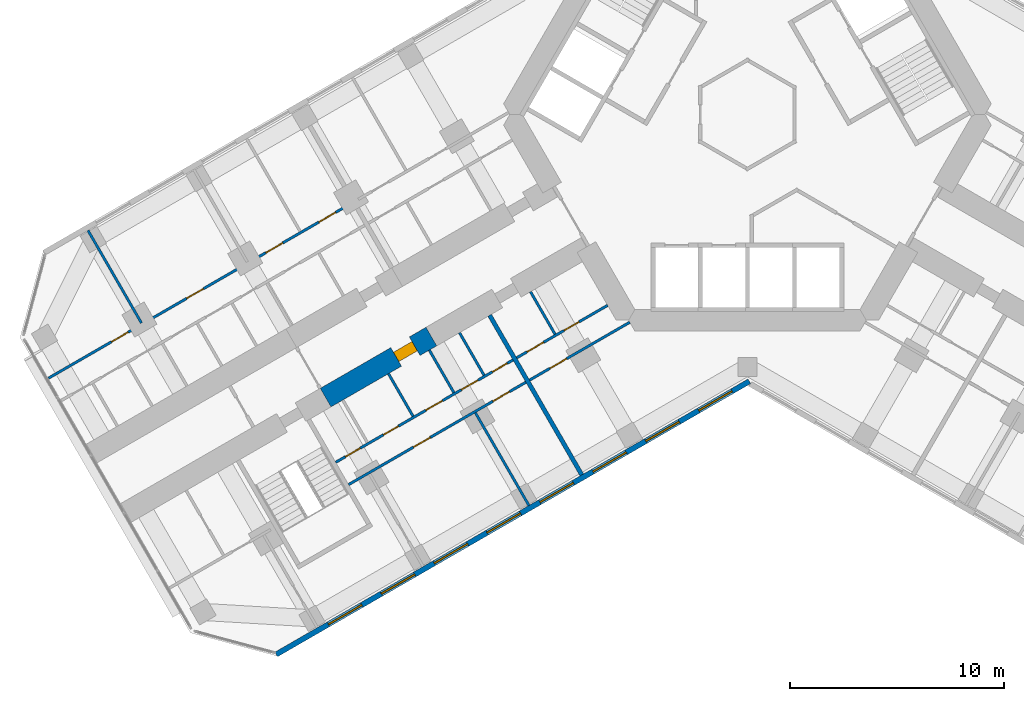
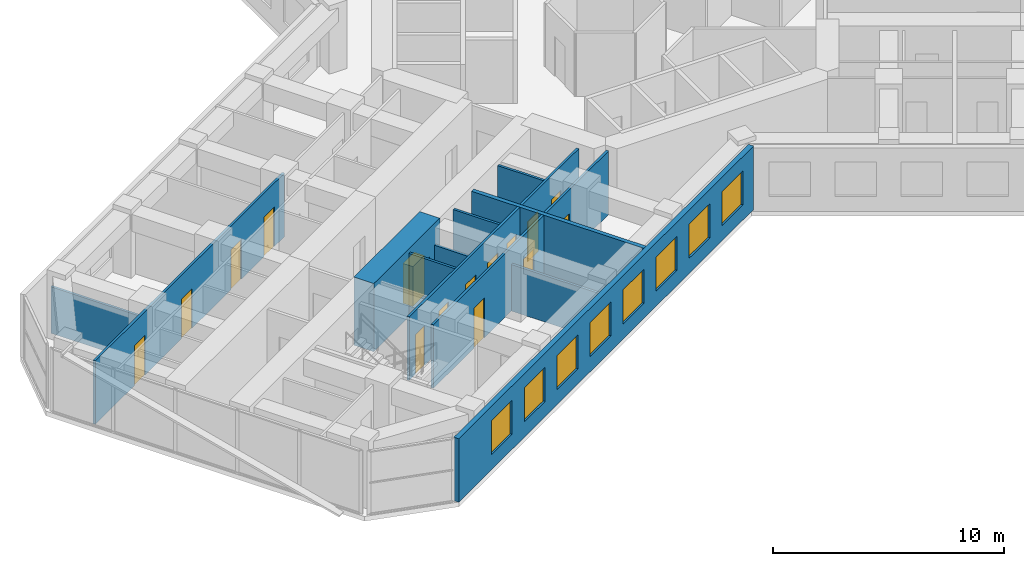
# One storey, part 11 of 21: 15 doors, 14 walls, 8 windows, 23 openings.
"""IFC4 building model written with IfcOpenShell, lengths in metres."""

import ifcopenshell
import ifcopenshell.guid

model = None  # the IFC model being written
_history = None  # IfcOwnerHistory: only IFC2X3 demands one
_inside = {}  # id of a spatial element -> (the spatial element, [elements in it])
_under = {}  # id of a project, library or spatial element -> (it, [spatial elements below it])
_declared = {}  # id of a project -> (the project, [libraries it declares])
_typed = {}  # id of a type object -> (the type object, [elements of that type])
_made_of = {}  # id of a material, layer set ... -> (it, [elements and type objects made of it])


def new_model(schema):
    """Start an empty IFC model of exactly this schema.

    Asked for "IFC4X3", IfcOpenShell would pick the latest addendum, in which some entities
    have other attributes; the version numbers below select the first issue.
    IFC2X3 requires an IfcOwnerHistory on every rooted entity: one is made here for all.
    """
    global model, _history
    if schema == "IFC4X3":
        model = ifcopenshell.file(schema_version=(4, 3, 0, 0))
    else:
        model = ifcopenshell.file(schema=schema)
    _inside.clear()
    _under.clear()
    _declared.clear()
    _typed.clear()
    _made_of.clear()
    _history = None
    if model.schema == "IFC2X3":
        org = make("IfcOrganization", Name="unknown")
        user = make(
            "IfcPersonAndOrganization",
            ThePerson=make("IfcPerson", FamilyName="unknown"),
            TheOrganization=org,
        )
        app = make(
            "IfcApplication",
            ApplicationDeveloper=org,
            Version="unknown",
            ApplicationFullName="unknown",
            ApplicationIdentifier="unknown",
        )
        _history = make(
            "IfcOwnerHistory",
            OwningUser=user,
            OwningApplication=app,
            ChangeAction="ADDED",
            CreationDate=0,
        )
    return model


def make(cls, **values):
    """One entity of the class cls with the attributes given. An attribute that is None is left unset."""
    return model.create_entity(
        cls, **{name: value for name, value in values.items() if value is not None}
    )


def rooted(cls, **values):
    """An entity with a GlobalId (a new one), such as an element, a storey or a relation."""
    return make(cls, GlobalId=ifcopenshell.guid.new(), OwnerHistory=_history, **values)


def si_unit(unit_type, name, prefix=None):
    """IfcSIUnit, for example si_unit("LENGTHUNIT", "METRE", prefix="MILLI")."""
    return make("IfcSIUnit", UnitType=unit_type, Prefix=prefix, Name=name)


def assignment(units):
    """IfcUnitAssignment: the units of a project."""
    return None if units is None else make("IfcUnitAssignment", Units=units)


def point(xyz):
    """IfcCartesianPoint."""
    return None if xyz is None else make("IfcCartesianPoint", Coordinates=xyz)


def direction(xyz):
    """IfcDirection."""
    return None if xyz is None else make("IfcDirection", DirectionRatios=xyz)


def frame(location, z_axis=None, x_axis=None):
    """IfcAxis2Placement3D, a coordinate frame: its origin and axes. An axis left out is left unset."""
    return make(
        "IfcAxis2Placement3D",
        Location=point(location),
        Axis=direction(z_axis),
        RefDirection=direction(x_axis),
    )


def frame_2d(location, x_axis=None):
    """IfcAxis2Placement2D, a coordinate frame in the plane: its origin and x axis."""
    return make(
        "IfcAxis2Placement2D", Location=point(location), RefDirection=direction(x_axis)
    )


def origin():
    """The frame at (0, 0, 0) with its axes left unset."""
    return frame((0.0, 0.0, 0.0))


def place(relative_to, where):
    """IfcLocalPlacement: puts the frame where relative to a parent placement (None: the world)."""
    return make(
        "IfcLocalPlacement", PlacementRelTo=relative_to, RelativePlacement=where
    )


def context(
    kind, dimensions, precision=None, world=None, true_north=None, identifier=None
):
    """IfcGeometricRepresentationContext, for example the 3D "Model" context."""
    return make(
        "IfcGeometricRepresentationContext",
        ContextIdentifier=identifier,
        ContextType=kind,
        CoordinateSpaceDimension=dimensions,
        Precision=precision,
        WorldCoordinateSystem=world,
        TrueNorth=true_north,
    )


def subcontext(parent, identifier, kind, view, scale=None):
    """IfcGeometricRepresentationSubContext, for example "Body" below "Model"."""
    return make(
        "IfcGeometricRepresentationSubContext",
        ContextIdentifier=identifier,
        ContextType=kind,
        ParentContext=parent,
        TargetScale=scale,
        TargetView=view,
    )


def project(units=None, contexts=None):
    """IfcProject with its units and contexts."""
    return rooted(
        "IfcProject",
        Name="project",
        RepresentationContexts=contexts,
        UnitsInContext=assignment(units),
    )


def spatial(cls, under=None, at=None, **own):
    """A site, building, storey or space (cls), placed at a placement, below another one or the project."""
    s = rooted(cls, ObjectPlacement=at, **own)
    if under is not None:
        _under.setdefault(under.id(), (under, []))[1].append(s)
    return s


def profile(cls, at=None, kind="AREA", **sizes):
    """A parametric profile (cls). Its sizes go by their IFC names, for example OverallWidth=200.0."""
    return make(cls, ProfileType=kind, Position=at, **sizes)


def rectangle(**sizes):
    """IfcRectangleProfileDef."""
    return profile("IfcRectangleProfileDef", **sizes)


def extrude(swept, where, along, depth):
    """IfcExtrudedAreaSolid: the profile swept, set in the frame where, extruded along a direction by depth."""
    return make(
        "IfcExtrudedAreaSolid",
        SweptArea=swept,
        Position=where,
        ExtrudedDirection=direction(along),
        Depth=depth,
    )


def shape(context_of_items, identifier, shape_type, items):
    """IfcShapeRepresentation: the items that make up one representation, for example the "Body"."""
    return make(
        "IfcShapeRepresentation",
        ContextOfItems=context_of_items,
        RepresentationIdentifier=identifier,
        RepresentationType=shape_type,
        Items=items,
    )


def material(Name=None, Category=None):
    """IfcMaterial."""
    return make("IfcMaterial", Name=Name, Category=Category)


def layer(
    of_material, thickness, ventilated=None, Name=None, Category=None, Priority=None
):
    """IfcMaterialLayer: one layer of a wall or slab, of a material (None: an air gap)."""
    return make(
        "IfcMaterialLayer",
        Material=of_material,
        LayerThickness=thickness,
        IsVentilated=ventilated,
        Name=Name,
        Category=Category,
        Priority=Priority,
    )


def layer_set(layers, Name=None):
    """IfcMaterialLayerSet."""
    return make("IfcMaterialLayerSet", MaterialLayers=layers, LayerSetName=Name)


def made_of(thing, what):
    """Note that an element or type object is made of a material, layer set ...; save() writes the relation."""
    if what is not None:
        _made_of.setdefault(what.id(), (what, []))[1].append(thing)
    return thing


def type_object(cls, material=None, **own):
    """A type object (cls), such as IfcWallType, which elements share."""
    return made_of(rooted(cls, **own), material)


def element(
    cls,
    number,
    at=None,
    inside=None,
    cuts=None,
    type_object=None,
    material=None,
    context=None,
    identifier="Body",
    shape_type=None,
    held_by="IfcProductDefinitionShape",
    body=None,
    shapes=None,
    **own,
):
    """One element of the class cls, such as IfcWall. Its Tag is "e" and its number.

    at: its placement. inside: the storey or other place that contains it. cuts: it is an
    opening in that element (IfcRelVoidsElement). A single representation is given by context,
    identifier, shape_type and body (its items); several are given by shapes. held_by: the class
    of the entity that holds the representations. save() writes the other relations.
    """
    e = rooted(cls, Tag="e%d" % number, ObjectPlacement=at, **own)
    if body is not None:
        shapes = [shape(context, identifier, shape_type, body)]
    if shapes is not None:
        e.Representation = make(held_by, Representations=shapes)
    if inside is not None:
        _inside.setdefault(inside.id(), (inside, []))[1].append(e)
    if cuts is not None:
        rooted(
            "IfcRelVoidsElement", RelatingBuildingElement=cuts, RelatedOpeningElement=e
        )
    if type_object is not None:
        _typed.setdefault(type_object.id(), (type_object, []))[1].append(e)
    return made_of(e, material)


def fill(opening, filler):
    """IfcRelFillsElement: the door or window that sits in an opening."""
    return rooted(
        "IfcRelFillsElement",
        RelatingOpeningElement=opening,
        RelatedBuildingElement=filler,
    )


def aggregate(whole, parts):
    """IfcRelAggregates: a whole, such as a stair, and the parts it consists of."""
    return rooted("IfcRelAggregates", RelatingObject=whole, RelatedObjects=parts)


def save(model, path):
    """Write the relations noted so far, then the file.

    IfcRelAggregates (storeys below a building ...), IfcRelContainedInSpatialStructure (elements
    in a storey), IfcRelDefinesByType, IfcRelAssociatesMaterial and IfcRelDeclares: one each for
    every whole, place, type object, material and project.
    """
    for whole, parts in _under.values():
        aggregate(whole, parts)
    for where, things in _inside.values():
        rooted(
            "IfcRelContainedInSpatialStructure",
            RelatedElements=things,
            RelatingStructure=where,
        )
    for kind, things in _typed.values():
        rooted("IfcRelDefinesByType", RelatedObjects=things, RelatingType=kind)
    for what, things in _made_of.values():
        rooted("IfcRelAssociatesMaterial", RelatedObjects=things, RelatingMaterial=what)
    for by, libraries in _declared.values():
        rooted("IfcRelDeclares", RelatingContext=by, RelatedDefinitions=libraries)
    model.write(path)


model = new_model("IFC4")

# Units and contexts
model_context = context("Model", 3, precision=1e-05, world=origin(), true_north=direction((0.0, 1.0)))
body_context = subcontext(model_context, "Body", "Model", "MODEL_VIEW")
ifc_project = project(units=[si_unit("LENGTHUNIT", "METRE"), si_unit("AREAUNIT", "SQUARE_METRE"), si_unit("VOLUMEUNIT", "CUBIC_METRE"), si_unit("PLANEANGLEUNIT", "RADIAN"), si_unit("MASSUNIT", "GRAM", prefix="KILO")], contexts=[model_context])

# Site, building, storey
site_placement = place(None, origin())
site = spatial("IfcSite", under=ifc_project, at=site_placement, CompositionType="ELEMENT")
building_placement = place(site_placement, origin())
building = spatial("IfcBuilding", under=site, at=building_placement, Name="Kosmar Iwan School Tower", CompositionType="ELEMENT")
storey_placement = place(building_placement, frame((0.0, 0.0, 88.0)))
storey = spatial("IfcBuildingStorey", under=building, at=storey_placement, Name="L21", CompositionType="ELEMENT", Elevation=88.0)

# Wall, opening, door
ifc_material_1 = material(Name="Concrete C50/60", Category="concrete")
ifc_layer_1 = layer(ifc_material_1, 1.0)
ifc_layer_set_1 = layer_set([ifc_layer_1], Name="Corridor buttress wall 1000")
wall_type_1 = type_object("IfcWallType", Name="Corridor buttress wall 1000", PredefinedType="SHEAR", material=ifc_layer_set_1)
wall_1_placement = place(storey_placement, frame((-14.7451171875, -10.360595703125, 0.0), z_axis=(0.0, 0.0, 1.0), x_axis=(-0.866015111908, -0.50001782563, 0.0)))
wall_1 = element("IfcWall", 1, at=wall_1_placement, inside=storey, type_object=wall_type_1, Name="Corridor wall BL bay 2", PredefinedType="SHEAR", context=body_context, shape_type="SweptSolid", body=[
    extrude(rectangle(XDim=5.699951171875, YDim=1.0, at=frame_2d((2.85009765625, 0.0))), origin(), (0.0, 0.0, 1.0), 3.60009765625),
])
opening_1_placement = place(wall_1_placement, frame((0.89990234375, 0.0, 0.0)))
opening_1 = element("IfcOpeningElement", 2, at=opening_1_placement, cuts=wall_1, Name="Opening D1", PredefinedType="OPENING", context=body_context, shape_type="SweptSolid", body=[
    extrude(rectangle(XDim=1.0, YDim=2.10009765625, at=frame_2d((0.5, 1.050048828125))), frame((0.0, 0.511962890625, 0.0), z_axis=(0.0, -1.0, 0.0), x_axis=(1.0, 0.0, 0.0)), (0.0, 0.0, 1.0), 1.02392578125),
])
ifc_material_2 = material(Name="Timber fire door in steel frame", Category="steel")
door_type_1 = type_object("IfcDoorType", Name="Flat entrance door 1000x2100", OperationType="SINGLE_SWING_LEFT", PredefinedType="DOOR", material=ifc_material_2)
door_1_placement = place(opening_1_placement, origin())
door_1 = element("IfcDoor", 3, at=door_1_placement, inside=storey, type_object=door_type_1, Name="Flat L21-BL2 entrance door", OperationType="SINGLE_SWING_LEFT", OverallHeight=2.10009765625, OverallWidth=1.0, PredefinedType="DOOR", context=body_context, shape_type="SweptSolid", body=[
    extrude(rectangle(XDim=1.0, YDim=2.10009765625, at=frame_2d((0.5, 1.050048828125))), frame((0.0, 0.25, 0.0), z_axis=(0.0, -1.0, 0.0), x_axis=(1.0, 0.0, 0.0)), (0.0, 0.0, 1.0), 0.5),
])
fill(opening_1, door_1)

# Wall, openings, doors
ifc_material_3 = material(Name="Gypsum board on steel studs", Category="steel")
ifc_layer_2 = layer(ifc_material_3, 0.1201171875)
ifc_layer_set_2 = layer_set([ifc_layer_2], Name="Dwelling partition 120")
wall_type_2 = type_object("IfcWallType", Name="Dwelling partition 120", PredefinedType="PARTITIONING", material=ifc_layer_set_2)
wall_2_placement = place(storey_placement, frame((-6.521728515625, -8.90380859375, 0.0), z_axis=(0.0, 0.0, 1.0), x_axis=(-0.866036242063, -0.49998122708, 0.0)))
wall_2 = element("IfcWall", 4, at=wall_2_placement, inside=storey, type_object=wall_type_2, Name="Partition L21-BL1-W1", PredefinedType="PARTITIONING", context=body_context, shape_type="SweptSolid", body=[
    extrude(rectangle(XDim=4.900146484375, YDim=0.1201171875, at=frame_2d((2.4501953125, 0.0))), origin(), (0.0, 0.0, 1.0), 3.35009765625),
])
opening_2_placement = place(wall_2_placement, frame((1.550048828125, 0.0, 0.0)))
opening_2 = element("IfcOpeningElement", 5, at=opening_2_placement, cuts=wall_2, Name="Opening D3", PredefinedType="OPENING", context=body_context, shape_type="SweptSolid", body=[
    extrude(rectangle(XDim=0.800048828125, YDim=2.10009765625, at=frame_2d((0.39990234375, 1.050048828125))), frame((0.0, 0.072021484375, 0.0), z_axis=(0.0, -1.0, 0.0), x_axis=(1.0, 0.0, 0.0)), (0.0, 0.0, 1.0), 0.14404296875),
])
opening_3_placement = place(wall_2_placement, frame((3.449951171875, 0.0, 0.0)))
opening_3 = element("IfcOpeningElement", 6, at=opening_3_placement, cuts=wall_2, Name="Opening D2", PredefinedType="OPENING", context=body_context, shape_type="SweptSolid", body=[
    extrude(rectangle(XDim=0.89990234375, YDim=2.10009765625, at=frame_2d((0.449951171875, 1.050048828125))), frame((0.0, 0.072021484375, 0.0), z_axis=(0.0, -1.0, 0.0), x_axis=(1.0, 0.0, 0.0)), (0.0, 0.0, 1.0), 0.14404296875),
])
ifc_material_4 = material(Name="Timber door in timber frame", Category="wood")
door_type_2 = type_object("IfcDoorType", Name="Internal door 900x2100", OperationType="SINGLE_SWING_LEFT", PredefinedType="DOOR", material=ifc_material_4)
door_2_placement = place(opening_3_placement, origin())
door_2 = element("IfcDoor", 7, at=door_2_placement, inside=storey, type_object=door_type_2, Name="Entrance hall door L21-BL1-S2", OperationType="SINGLE_SWING_RIGHT", OverallHeight=2.10009765625, OverallWidth=0.89990234375, PredefinedType="DOOR", context=body_context, shape_type="SweptSolid", body=[
    extrude(rectangle(XDim=0.89990234375, YDim=2.10009765625, at=frame_2d((0.449951171875, 1.050048828125))), frame((0.0, 0.02490234375, 0.0), z_axis=(0.0, -1.0, 0.0), x_axis=(1.0, 0.0, 0.0)), (0.0, 0.0, 1.0), 0.050048828125),
])
fill(opening_3, door_2)
ifc_material_5 = material(Name="Timber door in timber frame", Category="wood")
door_type_3 = type_object("IfcDoorType", Name="Sanitary room door 800x2100", OperationType="SINGLE_SWING_LEFT", PredefinedType="DOOR", material=ifc_material_5)
door_3_placement = place(opening_2_placement, origin())
door_3 = element("IfcDoor", 8, at=door_3_placement, inside=storey, type_object=door_type_3, Name="Bathroom door L21-BL1-S1", OperationType="SINGLE_SWING_LEFT", OverallHeight=2.10009765625, OverallWidth=0.800048828125, PredefinedType="DOOR", context=body_context, shape_type="SweptSolid", body=[
    extrude(rectangle(XDim=0.800048828125, YDim=2.10009765625, at=frame_2d((0.39990234375, 1.050048828125))), frame((0.0, 0.02490234375, 0.0), z_axis=(0.0, -1.0, 0.0), x_axis=(1.0, 0.0, 0.0)), (0.0, 0.0, 1.0), 0.050048828125),
])
fill(opening_2, door_3)

# Wall, opening, door
wall_3_placement = place(storey_placement, frame((-5.48876953125, -9.693115234375, 0.0), z_axis=(0.0, 0.0, 1.0), x_axis=(-0.866028230842, -0.499995103361, 0.0)))
wall_3 = element("IfcWall", 9, at=wall_3_placement, inside=storey, type_object=wall_type_2, Name="Partition L21-BL1-W2", PredefinedType="PARTITIONING", context=body_context, shape_type="SweptSolid", body=[
    extrude(rectangle(XDim=5.39990234375, YDim=0.1201171875, at=frame_2d((2.699951171875, 0.0))), origin(), (0.0, 0.0, 1.0), 3.35009765625),
])
opening_4_placement = place(wall_3_placement, frame((3.39990234375, 0.0, 0.0)))
opening_4 = element("IfcOpeningElement", 10, at=opening_4_placement, cuts=wall_3, Name="Opening D2", PredefinedType="OPENING", context=body_context, shape_type="SweptSolid", body=[
    extrude(rectangle(XDim=0.89990234375, YDim=2.10009765625, at=frame_2d((0.449951171875, 1.050048828125))), frame((0.0, 0.072021484375, 0.0), z_axis=(0.0, -1.0, 0.0), x_axis=(1.0, 0.0, 0.0)), (0.0, 0.0, 1.0), 0.14404296875),
])
door_4_placement = place(opening_4_placement, origin())
door_4 = element("IfcDoor", 11, at=door_4_placement, inside=storey, type_object=door_type_2, Name="Studio living room and kitchen door L21-BL1-F1", OperationType="SINGLE_SWING_RIGHT", OverallHeight=2.10009765625, OverallWidth=0.89990234375, PredefinedType="DOOR", context=body_context, shape_type="SweptSolid", body=[
    extrude(rectangle(XDim=0.89990234375, YDim=2.10009765625, at=frame_2d((0.449951171875, 1.050048828125))), frame((0.0, 0.02490234375, 0.0), z_axis=(0.0, -1.0, 0.0), x_axis=(1.0, 0.0, 0.0)), (0.0, 0.0, 1.0), 0.050048828125),
])
fill(opening_4, door_4)

# Wall
wall_4_placement = place(storey_placement, frame((-10.121826171875, -8.2685546875, 0.0), z_axis=(0.0, 0.0, 1.0), x_axis=(0.499968531483, -0.866043571379, 0.0)))
element("IfcWall", 12, at=wall_4_placement, inside=storey, type_object=wall_type_2, Name="Partition L21-BL1-Y1", PredefinedType="PARTITIONING", context=body_context, shape_type="SweptSolid", body=[
    extrude(rectangle(XDim=2.290283203125, YDim=0.1201171875, at=frame_2d((1.14501953125, 0.0))), origin(), (0.0, 0.0, 1.0), 3.35009765625),
])

# Wall, openings, doors
wall_5_placement = place(storey_placement, frame((-10.9384765625, -11.453857421875, 0.0), z_axis=(0.0, 0.0, 1.0), x_axis=(-0.866035311659, -0.499982838664, 0.0)))
wall_5 = element("IfcWall", 13, at=wall_5_placement, inside=storey, type_object=wall_type_2, Name="Partition L21-BL2-W1", PredefinedType="PARTITIONING", context=body_context, shape_type="SweptSolid", body=[
    extrude(rectangle(XDim=9.550048828125, YDim=0.1201171875, at=frame_2d((4.77490234375, 0.0))), origin(), (0.0, 0.0, 1.0), 3.35009765625),
])
opening_5_placement = place(wall_5_placement, frame((0.3125, 0.0, 0.0)))
opening_5 = element("IfcOpeningElement", 14, at=opening_5_placement, cuts=wall_5, Name="Opening D3", PredefinedType="OPENING", context=body_context, shape_type="SweptSolid", body=[
    extrude(rectangle(XDim=0.800048828125, YDim=2.10009765625, at=frame_2d((0.39990234375, 1.050048828125))), frame((0.0, 0.072021484375, 0.0), z_axis=(0.0, -1.0, 0.0), x_axis=(1.0, 0.0, 0.0)), (0.0, 0.0, 1.0), 0.14404296875),
])
opening_6_placement = place(wall_5_placement, frame((1.887451171875, 0.0, 0.0)))
opening_6 = element("IfcOpeningElement", 15, at=opening_6_placement, cuts=wall_5, Name="Opening D2", PredefinedType="OPENING", context=body_context, shape_type="SweptSolid", body=[
    extrude(rectangle(XDim=0.89990234375, YDim=2.10009765625, at=frame_2d((0.449951171875, 1.050048828125))), frame((0.0, 0.072021484375, 0.0), z_axis=(0.0, -1.0, 0.0), x_axis=(1.0, 0.0, 0.0)), (0.0, 0.0, 1.0), 0.14404296875),
])
opening_7_placement = place(wall_5_placement, frame((3.800048828125, 0.0, 0.0)))
opening_7 = element("IfcOpeningElement", 16, at=opening_7_placement, cuts=wall_5, Name="Opening D2", PredefinedType="OPENING", context=body_context, shape_type="SweptSolid", body=[
    extrude(rectangle(XDim=0.89990234375, YDim=2.10009765625, at=frame_2d((0.449951171875, 1.050048828125))), frame((0.0, 0.072021484375, 0.0), z_axis=(0.0, -1.0, 0.0), x_axis=(1.0, 0.0, 0.0)), (0.0, 0.0, 1.0), 0.14404296875),
])
opening_8_placement = place(wall_5_placement, frame((6.179931640625, 0.0, 0.0)))
opening_8 = element("IfcOpeningElement", 17, at=opening_8_placement, cuts=wall_5, Name="Opening D3", PredefinedType="OPENING", context=body_context, shape_type="SweptSolid", body=[
    extrude(rectangle(XDim=0.800048828125, YDim=2.10009765625, at=frame_2d((0.39990234375, 1.050048828125))), frame((0.0, 0.072021484375, 0.0), z_axis=(0.0, -1.0, 0.0), x_axis=(1.0, 0.0, 0.0)), (0.0, 0.0, 1.0), 0.14404296875),
])
opening_9_placement = place(wall_5_placement, frame((8.22998046875, 0.0, 0.0)))
opening_9 = element("IfcOpeningElement", 18, at=opening_9_placement, cuts=wall_5, Name="Opening D3", PredefinedType="OPENING", context=body_context, shape_type="SweptSolid", body=[
    extrude(rectangle(XDim=0.800048828125, YDim=2.10009765625, at=frame_2d((0.39990234375, 1.050048828125))), frame((0.0, 0.072021484375, 0.0), z_axis=(0.0, -1.0, 0.0), x_axis=(1.0, 0.0, 0.0)), (0.0, 0.0, 1.0), 0.14404296875),
])
door_5_placement = place(opening_6_placement, frame((0.89990234375, 0.0, 0.0), z_axis=(0.0, 0.0, 1.0), x_axis=(-1.0, 0.0, 0.0)))
door_5 = element("IfcDoor", 19, at=door_5_placement, inside=storey, type_object=door_type_2, Name="Pantry door L21-BL2-S2", OperationType="SINGLE_SWING_RIGHT", OverallHeight=2.10009765625, OverallWidth=0.89990234375, PredefinedType="DOOR", context=body_context, shape_type="SweptSolid", body=[
    extrude(rectangle(XDim=0.89990234375, YDim=2.10009765625, at=frame_2d((0.449951171875, 1.050048828125))), frame((0.0, 0.02490234375, 0.0), z_axis=(0.0, -1.0, 0.0), x_axis=(1.0, 0.0, 0.0)), (0.0, 0.0, 1.0), 0.050048828125),
])
fill(opening_6, door_5)
door_6_placement = place(opening_7_placement, origin())
door_6 = element("IfcDoor", 20, at=door_6_placement, inside=storey, type_object=door_type_2, Name="Entrance hall door L21-BL2-S3", OperationType="SINGLE_SWING_LEFT", OverallHeight=2.10009765625, OverallWidth=0.89990234375, PredefinedType="DOOR", context=body_context, shape_type="SweptSolid", body=[
    extrude(rectangle(XDim=0.89990234375, YDim=2.10009765625, at=frame_2d((0.449951171875, 1.050048828125))), frame((0.0, 0.02490234375, 0.0), z_axis=(0.0, -1.0, 0.0), x_axis=(1.0, 0.0, 0.0)), (0.0, 0.0, 1.0), 0.050048828125),
])
fill(opening_7, door_6)
door_7_placement = place(opening_5_placement, origin())
door_7 = element("IfcDoor", 21, at=door_7_placement, inside=storey, type_object=door_type_3, Name="Store door L21-BL2-S1", OperationType="SINGLE_SWING_LEFT", OverallHeight=2.10009765625, OverallWidth=0.800048828125, PredefinedType="DOOR", context=body_context, shape_type="SweptSolid", body=[
    extrude(rectangle(XDim=0.800048828125, YDim=2.10009765625, at=frame_2d((0.39990234375, 1.050048828125))), frame((0.0, 0.02490234375, 0.0), z_axis=(0.0, -1.0, 0.0), x_axis=(1.0, 0.0, 0.0)), (0.0, 0.0, 1.0), 0.050048828125),
])
fill(opening_5, door_7)
door_8_placement = place(opening_8_placement, origin())
door_8 = element("IfcDoor", 22, at=door_8_placement, inside=storey, type_object=door_type_3, Name="Bathroom door L21-BL2-S4", OperationType="SINGLE_SWING_RIGHT", OverallHeight=2.10009765625, OverallWidth=0.800048828125, PredefinedType="DOOR", context=body_context, shape_type="SweptSolid", body=[
    extrude(rectangle(XDim=0.800048828125, YDim=2.10009765625, at=frame_2d((0.39990234375, 1.050048828125))), frame((0.0, 0.02490234375, 0.0), z_axis=(0.0, -1.0, 0.0), x_axis=(1.0, 0.0, 0.0)), (0.0, 0.0, 1.0), 0.050048828125),
])
fill(opening_8, door_8)
door_9_placement = place(opening_9_placement, origin())
door_9 = element("IfcDoor", 23, at=door_9_placement, inside=storey, type_object=door_type_3, Name="WC door L21-BL2-S5", OperationType="SINGLE_SWING_RIGHT", OverallHeight=2.10009765625, OverallWidth=0.800048828125, PredefinedType="DOOR", context=body_context, shape_type="SweptSolid", body=[
    extrude(rectangle(XDim=0.800048828125, YDim=2.10009765625, at=frame_2d((0.39990234375, 1.050048828125))), frame((0.0, 0.02490234375, 0.0), z_axis=(0.0, -1.0, 0.0), x_axis=(1.0, 0.0, 0.0)), (0.0, 0.0, 1.0), 0.050048828125),
])
fill(opening_9, door_9)

wall_6_placement = place(storey_placement, frame((-10.338623046875, -12.492919921875, 0.0), z_axis=(0.0, 0.0, 1.0), x_axis=(-0.866017851049, -0.500013081493, 0.0)))
wall_6 = element("IfcWall", 24, at=wall_6_placement, inside=storey, type_object=wall_type_2, Name="Partition L21-BL2-W2", PredefinedType="PARTITIONING", context=body_context, shape_type="SweptSolid", body=[
    extrude(rectangle(XDim=9.550048828125, YDim=0.1201171875, at=frame_2d((4.77490234375, 0.0))), origin(), (0.0, 0.0, 1.0), 3.35009765625),
])
opening_10_placement = place(wall_6_placement, frame((0.875, 0.0, 0.0)))
opening_10 = element("IfcOpeningElement", 25, at=opening_10_placement, cuts=wall_6, Name="Opening D2", PredefinedType="OPENING", context=body_context, shape_type="SweptSolid", body=[
    extrude(rectangle(XDim=0.89990234375, YDim=2.10009765625, at=frame_2d((0.449951171875, 1.050048828125))), frame((0.0, 0.072021484375, 0.0), z_axis=(0.0, -1.0, 0.0), x_axis=(1.0, 0.0, 0.0)), (0.0, 0.0, 1.0), 0.14404296875),
])
opening_11_placement = place(wall_6_placement, frame((5.14990234375, 0.0, 0.0)))
opening_11 = element("IfcOpeningElement", 26, at=opening_11_placement, cuts=wall_6, Name="Opening D2", PredefinedType="OPENING", context=body_context, shape_type="SweptSolid", body=[
    extrude(rectangle(XDim=0.89990234375, YDim=2.10009765625, at=frame_2d((0.449951171875, 1.050048828125))), frame((0.0, 0.072021484375, 0.0), z_axis=(0.0, -1.0, 0.0), x_axis=(1.0, 0.0, 0.0)), (0.0, 0.0, 1.0), 0.14404296875),
])
door_10_placement = place(opening_10_placement, origin())
door_10 = element("IfcDoor", 27, at=door_10_placement, inside=storey, type_object=door_type_2, Name="Bedroom 1 door L21-BL2-F1", OperationType="SINGLE_SWING_LEFT", OverallHeight=2.10009765625, OverallWidth=0.89990234375, PredefinedType="DOOR", context=body_context, shape_type="SweptSolid", body=[
    extrude(rectangle(XDim=0.89990234375, YDim=2.10009765625, at=frame_2d((0.449951171875, 1.050048828125))), frame((0.0, 0.02490234375, 0.0), z_axis=(0.0, -1.0, 0.0), x_axis=(1.0, 0.0, 0.0)), (0.0, 0.0, 1.0), 0.050048828125),
])
fill(opening_10, door_10)
door_11_placement = place(opening_11_placement, origin())
door_11 = element("IfcDoor", 28, at=door_11_placement, inside=storey, type_object=door_type_2, Name="Living room and kitchen door L21-BL2-F2", OperationType="SINGLE_SWING_RIGHT", OverallHeight=2.10009765625, OverallWidth=0.89990234375, PredefinedType="DOOR", context=body_context, shape_type="SweptSolid", body=[
    extrude(rectangle(XDim=0.89990234375, YDim=2.10009765625, at=frame_2d((0.449951171875, 1.050048828125))), frame((0.0, 0.02490234375, 0.0), z_axis=(0.0, -1.0, 0.0), x_axis=(1.0, 0.0, 0.0)), (0.0, 0.0, 1.0), 0.050048828125),
])
fill(opening_11, door_11)

# Walls
wall_7_placement = place(storey_placement, frame((-12.690185546875, -13.919921875, 0.0), z_axis=(0.0, 0.0, 1.0), x_axis=(0.500011847778, -0.866018563358, 0.0)))
element("IfcWall", 29, at=wall_7_placement, inside=storey, type_object=wall_type_2, Name="Partition L21-BL2-X1", PredefinedType="PARTITIONING", context=body_context, shape_type="SweptSolid", body=[
    extrude(rectangle(XDim=4.990234375, YDim=0.1201171875, at=frame_2d((2.4951171875, 0.0))), origin(), (0.0, 0.0, 1.0), 2.449951171875),
])
wall_8_placement = place(storey_placement, frame((-13.434326171875, -10.18115234375, 0.0), z_axis=(0.0, 0.0, 1.0), x_axis=(0.500014693593, -0.866016920268, 0.0)))
element("IfcWall", 30, at=wall_8_placement, inside=storey, type_object=wall_type_2, Name="Partition L21-BL2-Y1", PredefinedType="PARTITIONING", context=body_context, shape_type="SweptSolid", body=[
    extrude(rectangle(XDim=2.2900390625, YDim=0.1201171875, at=frame_2d((1.14501953125, 0.0))), origin(), (0.0, 0.0, 1.0), 3.35009765625),
])
wall_9_placement = place(storey_placement, frame((-14.841552734375, -10.99365234375, 0.0), z_axis=(0.0, 0.0, 1.0), x_axis=(0.500014693593, -0.866016920268, 0.0)))
element("IfcWall", 31, at=wall_9_placement, inside=storey, type_object=wall_type_2, Name="Partition L21-BL2-Y2", PredefinedType="PARTITIONING", context=body_context, shape_type="SweptSolid", body=[
    extrude(rectangle(XDim=2.2900390625, YDim=0.1201171875, at=frame_2d((1.14501953125, 0.0))), origin(), (0.0, 0.0, 1.0), 2.449951171875),
])
wall_10_placement = place(storey_placement, frame((-16.746826171875, -12.09375, 0.0), z_axis=(0.0, 0.0, 1.0), x_axis=(0.500014693593, -0.866016920268, 0.0)))
element("IfcWall", 32, at=wall_10_placement, inside=storey, type_object=wall_type_2, Name="Partition L21-BL2-Y3", PredefinedType="PARTITIONING", context=body_context, shape_type="SweptSolid", body=[
    extrude(rectangle(XDim=2.2900390625, YDim=0.1201171875, at=frame_2d((1.14501953125, 0.0))), origin(), (0.0, 0.0, 1.0), 3.35009765625),
])

# Wall, openings, doors
wall_11_placement = place(storey_placement, frame((-18.456787109375, -4.1318359375, 0.0), z_axis=(0.0, 0.0, 1.0), x_axis=(-0.866023907196, -0.500002592159, 0.0)))
wall_11 = element("IfcWall", 33, at=wall_11_placement, inside=storey, type_object=wall_type_2, Name="Partition L21-BR2-W2", PredefinedType="PARTITIONING", context=body_context, shape_type="SweptSolid", body=[
    extrude(rectangle(XDim=16.34521484375, YDim=0.1201171875, at=frame_2d((8.172607421875, 0.0))), origin(), (0.0, 0.0, 1.0), 3.35009765625),
])
opening_12_placement = place(wall_11_placement, frame((0.875, 0.0, 0.0)))
opening_12 = element("IfcOpeningElement", 34, at=opening_12_placement, cuts=wall_11, Name="Opening D2", PredefinedType="OPENING", context=body_context, shape_type="SweptSolid", body=[
    extrude(rectangle(XDim=0.89990234375, YDim=2.10009765625, at=frame_2d((0.449951171875, 1.050048828125))), frame((0.0, 0.072021484375, 0.0), z_axis=(0.0, -1.0, 0.0), x_axis=(1.0, 0.0, 0.0)), (0.0, 0.0, 1.0), 0.14404296875),
])
opening_13_placement = place(wall_11_placement, frame((3.72509765625, 0.0, 0.0)))
opening_13 = element("IfcOpeningElement", 35, at=opening_13_placement, cuts=wall_11, Name="Opening D2", PredefinedType="OPENING", context=body_context, shape_type="SweptSolid", body=[
    extrude(rectangle(XDim=0.89990234375, YDim=2.10009765625, at=frame_2d((0.449951171875, 1.050048828125))), frame((0.0, 0.072021484375, 0.0), z_axis=(0.0, -1.0, 0.0), x_axis=(1.0, 0.0, 0.0)), (0.0, 0.0, 1.0), 0.14404296875),
])
opening_14_placement = place(wall_11_placement, frame((8.0, 0.0, 0.0)))
opening_14 = element("IfcOpeningElement", 36, at=opening_14_placement, cuts=wall_11, Name="Opening D2", PredefinedType="OPENING", context=body_context, shape_type="SweptSolid", body=[
    extrude(rectangle(XDim=0.89990234375, YDim=2.10009765625, at=frame_2d((0.449951171875, 1.050048828125))), frame((0.0, 0.072021484375, 0.0), z_axis=(0.0, -1.0, 0.0), x_axis=(1.0, 0.0, 0.0)), (0.0, 0.0, 1.0), 0.14404296875),
])
opening_15_placement = place(wall_11_placement, frame((12.050048828125, 0.0, 0.0)))
opening_15 = element("IfcOpeningElement", 37, at=opening_15_placement, cuts=wall_11, Name="Opening D2", PredefinedType="OPENING", context=body_context, shape_type="SweptSolid", body=[
    extrude(rectangle(XDim=0.89990234375, YDim=2.10009765625, at=frame_2d((0.449951171875, 1.050048828125))), frame((0.0, 0.072021484375, 0.0), z_axis=(0.0, -1.0, 0.0), x_axis=(1.0, 0.0, 0.0)), (0.0, 0.0, 1.0), 0.14404296875),
])
door_12_placement = place(opening_12_placement, origin())
door_12 = element("IfcDoor", 38, at=door_12_placement, inside=storey, type_object=door_type_2, Name="Bedroom 1 door L21-BR2-F1", OperationType="SINGLE_SWING_LEFT", OverallHeight=2.10009765625, OverallWidth=0.89990234375, PredefinedType="DOOR", context=body_context, shape_type="SweptSolid", body=[
    extrude(rectangle(XDim=0.89990234375, YDim=2.10009765625, at=frame_2d((0.449951171875, 1.050048828125))), frame((0.0, 0.02490234375, 0.0), z_axis=(0.0, -1.0, 0.0), x_axis=(1.0, 0.0, 0.0)), (0.0, 0.0, 1.0), 0.050048828125),
])
fill(opening_12, door_12)
door_13_placement = place(opening_13_placement, origin())
door_13 = element("IfcDoor", 39, at=door_13_placement, inside=storey, type_object=door_type_2, Name="Bedroom 2 door L21-BR2-F2", OperationType="SINGLE_SWING_LEFT", OverallHeight=2.10009765625, OverallWidth=0.89990234375, PredefinedType="DOOR", context=body_context, shape_type="SweptSolid", body=[
    extrude(rectangle(XDim=0.89990234375, YDim=2.10009765625, at=frame_2d((0.449951171875, 1.050048828125))), frame((0.0, 0.02490234375, 0.0), z_axis=(0.0, -1.0, 0.0), x_axis=(1.0, 0.0, 0.0)), (0.0, 0.0, 1.0), 0.050048828125),
])
fill(opening_13, door_13)
door_14_placement = place(opening_14_placement, origin())
door_14 = element("IfcDoor", 40, at=door_14_placement, inside=storey, type_object=door_type_2, Name="Living room and kitchen door L21-BR2-F3", OperationType="SINGLE_SWING_RIGHT", OverallHeight=2.10009765625, OverallWidth=0.89990234375, PredefinedType="DOOR", context=body_context, shape_type="SweptSolid", body=[
    extrude(rectangle(XDim=0.89990234375, YDim=2.10009765625, at=frame_2d((0.449951171875, 1.050048828125))), frame((0.0, 0.02490234375, 0.0), z_axis=(0.0, -1.0, 0.0), x_axis=(1.0, 0.0, 0.0)), (0.0, 0.0, 1.0), 0.050048828125),
])
fill(opening_14, door_14)
door_15_placement = place(opening_15_placement, origin())
door_15 = element("IfcDoor", 41, at=door_15_placement, inside=storey, type_object=door_type_2, Name="Bedroom 3 door L21-BR2-F4", OperationType="SINGLE_SWING_RIGHT", OverallHeight=2.10009765625, OverallWidth=0.89990234375, PredefinedType="DOOR", context=body_context, shape_type="SweptSolid", body=[
    extrude(rectangle(XDim=0.89990234375, YDim=2.10009765625, at=frame_2d((0.449951171875, 1.050048828125))), frame((0.0, 0.02490234375, 0.0), z_axis=(0.0, -1.0, 0.0), x_axis=(1.0, 0.0, 0.0)), (0.0, 0.0, 1.0), 0.050048828125),
])
fill(opening_15, door_15)

# Wall
wall_12_placement = place(storey_placement, frame((-28.27294921875, -9.72998046875, 0.0), z_axis=(0.0, 0.0, 1.0), x_axis=(-0.499975153383, 0.86603974851, 0.0)))
element("IfcWall", 42, at=wall_12_placement, inside=storey, type_object=wall_type_2, Name="Partition L21-BR2-X3", PredefinedType="PARTITIONING", context=body_context, shape_type="SweptSolid", body=[
    extrude(rectangle(XDim=4.989990234375, YDim=0.1201171875, at=frame_2d((2.4951171875, 0.0))), origin(), (0.0, 0.0, 1.0), 2.449951171875),
])

# Wall, openings, windows
ifc_material_6 = material(Name="Black aluminium rainscreen on insulated framing", Category="aluminium")
ifc_layer_3 = layer(ifc_material_6, 0.25)
ifc_layer_set_3 = layer_set([ifc_layer_3], Name="External wall rainscreen 250")
wall_type_3 = type_object("IfcWallType", Name="External wall rainscreen 250", PredefinedType="SOLIDWALL", material=ifc_layer_set_3)
wall_13_placement = place(storey_placement, frame((0.088134765625, -12.44873046875, 0.0), z_axis=(0.0, 0.0, 1.0), x_axis=(-0.866026390279, -0.499998291337, 0.0)))
wall_13 = element("IfcWall", 43, at=wall_13_placement, inside=storey, type_object=wall_type_3, Name="External wall BL L21", PredefinedType="SOLIDWALL", context=body_context, shape_type="SweptSolid", body=[
    extrude(rectangle(XDim=25.4873046875, YDim=0.25, at=frame_2d((12.74365234375, 0.0))), origin(), (0.0, 0.0, 1.0), 3.35009765625),
])
opening_16_placement = place(wall_13_placement, frame((0.927001953125, 0.0, 0.800048828125)))
opening_16 = element("IfcOpeningElement", 44, at=opening_16_placement, cuts=wall_13, Name="Opening W1", PredefinedType="OPENING", context=body_context, shape_type="SweptSolid", body=[
    extrude(rectangle(XDim=1.800048828125, YDim=1.800048828125, at=frame_2d((0.89990234375, 0.89990234375))), frame((0.0, 0.136962890625, 0.0), z_axis=(0.0, -1.0, 0.0), x_axis=(1.0, 0.0, 0.0)), (0.0, 0.0, 1.0), 0.27392578125),
])
opening_17_placement = place(wall_13_placement, frame((3.777099609375, 0.0, 0.800048828125)))
opening_17 = element("IfcOpeningElement", 45, at=opening_17_placement, cuts=wall_13, Name="Opening W1", PredefinedType="OPENING", context=body_context, shape_type="SweptSolid", body=[
    extrude(rectangle(XDim=1.800048828125, YDim=1.800048828125, at=frame_2d((0.89990234375, 0.89990234375))), frame((0.0, 0.136962890625, 0.0), z_axis=(0.0, -1.0, 0.0), x_axis=(1.0, 0.0, 0.0)), (0.0, 0.0, 1.0), 0.27392578125),
])
opening_18_placement = place(wall_13_placement, frame((6.626953125, 0.0, 0.800048828125)))
opening_18 = element("IfcOpeningElement", 46, at=opening_18_placement, cuts=wall_13, Name="Opening W1", PredefinedType="OPENING", context=body_context, shape_type="SweptSolid", body=[
    extrude(rectangle(XDim=1.800048828125, YDim=1.800048828125, at=frame_2d((0.89990234375, 0.89990234375))), frame((0.0, 0.136962890625, 0.0), z_axis=(0.0, -1.0, 0.0), x_axis=(1.0, 0.0, 0.0)), (0.0, 0.0, 1.0), 0.27392578125),
])
opening_19_placement = place(wall_13_placement, frame((9.47705078125, 0.0, 0.800048828125)))
opening_19 = element("IfcOpeningElement", 47, at=opening_19_placement, cuts=wall_13, Name="Opening W1", PredefinedType="OPENING", context=body_context, shape_type="SweptSolid", body=[
    extrude(rectangle(XDim=1.800048828125, YDim=1.800048828125, at=frame_2d((0.89990234375, 0.89990234375))), frame((0.0, 0.136962890625, 0.0), z_axis=(0.0, -1.0, 0.0), x_axis=(1.0, 0.0, 0.0)), (0.0, 0.0, 1.0), 0.27392578125),
])
opening_20_placement = place(wall_13_placement, frame((12.326904296875, 0.0, 0.800048828125)))
opening_20 = element("IfcOpeningElement", 48, at=opening_20_placement, cuts=wall_13, Name="Opening W1", PredefinedType="OPENING", context=body_context, shape_type="SweptSolid", body=[
    extrude(rectangle(XDim=1.800048828125, YDim=1.800048828125, at=frame_2d((0.89990234375, 0.89990234375))), frame((0.0, 0.136962890625, 0.0), z_axis=(0.0, -1.0, 0.0), x_axis=(1.0, 0.0, 0.0)), (0.0, 0.0, 1.0), 0.27392578125),
])
opening_21_placement = place(wall_13_placement, frame((15.177001953125, 0.0, 0.800048828125)))
opening_21 = element("IfcOpeningElement", 49, at=opening_21_placement, cuts=wall_13, Name="Opening W1", PredefinedType="OPENING", context=body_context, shape_type="SweptSolid", body=[
    extrude(rectangle(XDim=1.800048828125, YDim=1.800048828125, at=frame_2d((0.89990234375, 0.89990234375))), frame((0.0, 0.136962890625, 0.0), z_axis=(0.0, -1.0, 0.0), x_axis=(1.0, 0.0, 0.0)), (0.0, 0.0, 1.0), 0.27392578125),
])
opening_22_placement = place(wall_13_placement, frame((18.027099609375, 0.0, 0.800048828125)))
opening_22 = element("IfcOpeningElement", 50, at=opening_22_placement, cuts=wall_13, Name="Opening W1", PredefinedType="OPENING", context=body_context, shape_type="SweptSolid", body=[
    extrude(rectangle(XDim=1.800048828125, YDim=1.800048828125, at=frame_2d((0.89990234375, 0.89990234375))), frame((0.0, 0.136962890625, 0.0), z_axis=(0.0, -1.0, 0.0), x_axis=(1.0, 0.0, 0.0)), (0.0, 0.0, 1.0), 0.27392578125),
])
opening_23_placement = place(wall_13_placement, frame((20.876953125, 0.0, 0.800048828125)))
opening_23 = element("IfcOpeningElement", 51, at=opening_23_placement, cuts=wall_13, Name="Opening W1", PredefinedType="OPENING", context=body_context, shape_type="SweptSolid", body=[
    extrude(rectangle(XDim=1.800048828125, YDim=1.800048828125, at=frame_2d((0.89990234375, 0.89990234375))), frame((0.0, 0.136962890625, 0.0), z_axis=(0.0, -1.0, 0.0), x_axis=(1.0, 0.0, 0.0)), (0.0, 0.0, 1.0), 0.27392578125),
])
ifc_material_7 = material(Name="Black aluminium frame with dark triple glazing", Category="aluminium")
window_type = type_object("IfcWindowType", Name="Window 1800x1800", PartitioningType="SINGLE_PANEL", PredefinedType="WINDOW", material=ifc_material_7)
window_1_placement = place(opening_16_placement, origin())
window_1 = element("IfcWindow", 52, at=window_1_placement, inside=storey, type_object=window_type, Name="Window BL L21 -1", OverallHeight=1.800048828125, OverallWidth=1.800048828125, PartitioningType="SINGLE_PANEL", PredefinedType="WINDOW", context=body_context, shape_type="SweptSolid", body=[
    extrude(rectangle(XDim=1.800048828125, YDim=1.800048828125, at=frame_2d((0.89990234375, 0.89990234375))), frame((0.0, 0.030029296875, 0.0), z_axis=(0.0, -1.0, 0.0), x_axis=(1.0, 0.0, 0.0)), (0.0, 0.0, 1.0), 0.06005859375),
])
fill(opening_16, window_1)
window_2_placement = place(opening_17_placement, origin())
window_2 = element("IfcWindow", 53, at=window_2_placement, inside=storey, type_object=window_type, Name="Window BL L21 0", OverallHeight=1.800048828125, OverallWidth=1.800048828125, PartitioningType="SINGLE_PANEL", PredefinedType="WINDOW", context=body_context, shape_type="SweptSolid", body=[
    extrude(rectangle(XDim=1.800048828125, YDim=1.800048828125, at=frame_2d((0.89990234375, 0.89990234375))), frame((0.0, 0.030029296875, 0.0), z_axis=(0.0, -1.0, 0.0), x_axis=(1.0, 0.0, 0.0)), (0.0, 0.0, 1.0), 0.06005859375),
])
fill(opening_17, window_2)
window_3_placement = place(opening_18_placement, origin())
window_3 = element("IfcWindow", 54, at=window_3_placement, inside=storey, type_object=window_type, Name="Window BL L21 1", OverallHeight=1.800048828125, OverallWidth=1.800048828125, PartitioningType="SINGLE_PANEL", PredefinedType="WINDOW", context=body_context, shape_type="SweptSolid", body=[
    extrude(rectangle(XDim=1.800048828125, YDim=1.800048828125, at=frame_2d((0.89990234375, 0.89990234375))), frame((0.0, 0.030029296875, 0.0), z_axis=(0.0, -1.0, 0.0), x_axis=(1.0, 0.0, 0.0)), (0.0, 0.0, 1.0), 0.06005859375),
])
fill(opening_18, window_3)
window_4_placement = place(opening_19_placement, origin())
window_4 = element("IfcWindow", 55, at=window_4_placement, inside=storey, type_object=window_type, Name="Window BL L21 2", OverallHeight=1.800048828125, OverallWidth=1.800048828125, PartitioningType="SINGLE_PANEL", PredefinedType="WINDOW", context=body_context, shape_type="SweptSolid", body=[
    extrude(rectangle(XDim=1.800048828125, YDim=1.800048828125, at=frame_2d((0.89990234375, 0.89990234375))), frame((0.0, 0.030029296875, 0.0), z_axis=(0.0, -1.0, 0.0), x_axis=(1.0, 0.0, 0.0)), (0.0, 0.0, 1.0), 0.06005859375),
])
fill(opening_19, window_4)
window_5_placement = place(opening_20_placement, origin())
window_5 = element("IfcWindow", 56, at=window_5_placement, inside=storey, type_object=window_type, Name="Window BL L21 3", OverallHeight=1.800048828125, OverallWidth=1.800048828125, PartitioningType="SINGLE_PANEL", PredefinedType="WINDOW", context=body_context, shape_type="SweptSolid", body=[
    extrude(rectangle(XDim=1.800048828125, YDim=1.800048828125, at=frame_2d((0.89990234375, 0.89990234375))), frame((0.0, 0.030029296875, 0.0), z_axis=(0.0, -1.0, 0.0), x_axis=(1.0, 0.0, 0.0)), (0.0, 0.0, 1.0), 0.06005859375),
])
fill(opening_20, window_5)
window_6_placement = place(opening_21_placement, origin())
window_6 = element("IfcWindow", 57, at=window_6_placement, inside=storey, type_object=window_type, Name="Window BL L21 4", OverallHeight=1.800048828125, OverallWidth=1.800048828125, PartitioningType="SINGLE_PANEL", PredefinedType="WINDOW", context=body_context, shape_type="SweptSolid", body=[
    extrude(rectangle(XDim=1.800048828125, YDim=1.800048828125, at=frame_2d((0.89990234375, 0.89990234375))), frame((0.0, 0.030029296875, 0.0), z_axis=(0.0, -1.0, 0.0), x_axis=(1.0, 0.0, 0.0)), (0.0, 0.0, 1.0), 0.06005859375),
])
fill(opening_21, window_6)
window_7_placement = place(opening_22_placement, origin())
window_7 = element("IfcWindow", 58, at=window_7_placement, inside=storey, type_object=window_type, Name="Window BL L21 5", OverallHeight=1.800048828125, OverallWidth=1.800048828125, PartitioningType="SINGLE_PANEL", PredefinedType="WINDOW", context=body_context, shape_type="SweptSolid", body=[
    extrude(rectangle(XDim=1.800048828125, YDim=1.800048828125, at=frame_2d((0.89990234375, 0.89990234375))), frame((0.0, 0.030029296875, 0.0), z_axis=(0.0, -1.0, 0.0), x_axis=(1.0, 0.0, 0.0)), (0.0, 0.0, 1.0), 0.06005859375),
])
fill(opening_22, window_7)
window_8_placement = place(opening_23_placement, origin())
window_8 = element("IfcWindow", 59, at=window_8_placement, inside=storey, type_object=window_type, Name="Window BL L21 6", OverallHeight=1.800048828125, OverallWidth=1.800048828125, PartitioningType="SINGLE_PANEL", PredefinedType="WINDOW", context=body_context, shape_type="SweptSolid", body=[
    extrude(rectangle(XDim=1.800048828125, YDim=1.800048828125, at=frame_2d((0.89990234375, 0.89990234375))), frame((0.0, 0.030029296875, 0.0), z_axis=(0.0, -1.0, 0.0), x_axis=(1.0, 0.0, 0.0)), (0.0, 0.0, 1.0), 0.06005859375),
])
fill(opening_23, window_8)

# Wall
ifc_material_8 = material(Name="Concrete block masonry", Category="masonry")
ifc_layer_4 = layer(ifc_material_8, 0.199951171875)
ifc_layer_set_4 = layer_set([ifc_layer_4], Name="Party wall 200")
wall_type_4 = type_object("IfcWallType", Name="Party wall 200", PredefinedType="PARTITIONING", material=ifc_layer_set_4)
wall_14_placement = place(storey_placement, frame((-12.027099609375, -9.36865234375, 0.0), z_axis=(0.0, 0.0, 1.0), x_axis=(0.500007509209, -0.866021068297, 0.0)))
element("IfcWall", 60, at=wall_14_placement, inside=storey, type_object=wall_type_4, Name="Partition L21-BL2-PW", PredefinedType="PARTITIONING", context=body_context, shape_type="SweptSolid", body=[
    extrude(rectangle(XDim=8.599853515625, YDim=0.199951171875, at=frame_2d((4.2998046875, 0.0))), origin(), (0.0, 0.0, 1.0), 3.35009765625),
])

save(model, "model.ifc")
